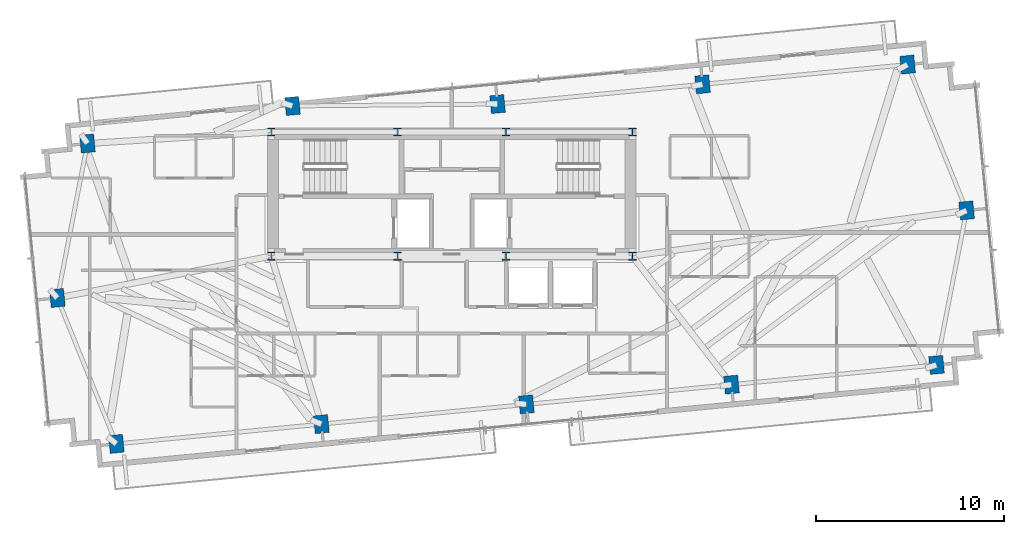
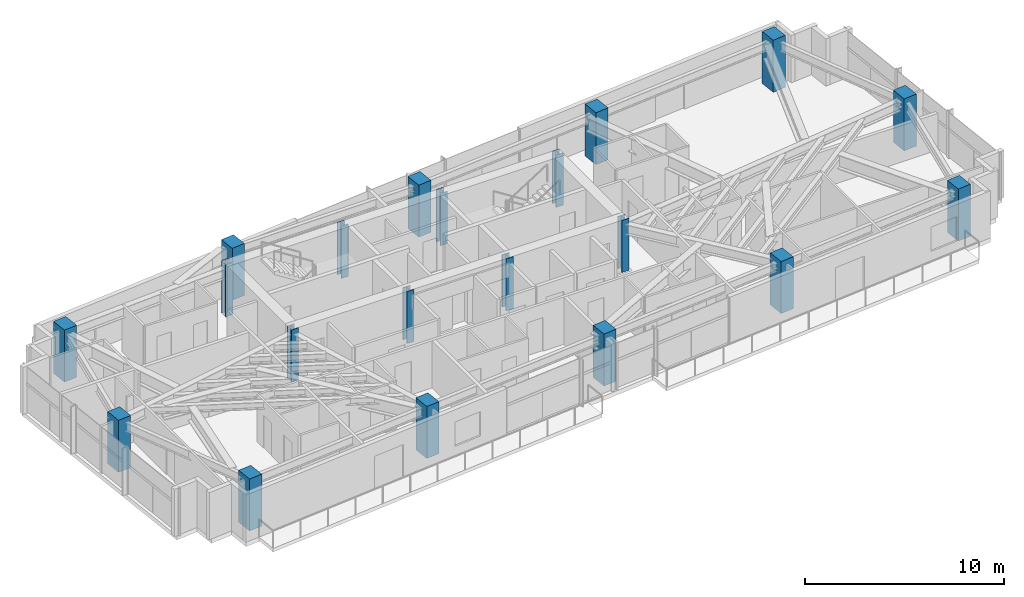
# One storey, part 1 of 18: 20 columns.
"""IFC4 building model written with IfcOpenShell, lengths in metres."""

from ifc_helpers import new_model, si_unit, direction, frame, origin, origin_2d, place, context, subcontext, project, spatial, rectangle, i_section, extrude, source, transform, mapped, material, material_profile, profile_set, type_object, type_shapes, element, save


model = new_model("IFC4")

# Units and contexts
model_context = context("Model", 3, precision=1e-05, world=origin(), true_north=direction((0.0, 1.0)))
body_context = subcontext(model_context, "Body", "Model", "MODEL_VIEW")
ifc_project = project(units=[si_unit("LENGTHUNIT", "METRE"), si_unit("AREAUNIT", "SQUARE_METRE"), si_unit("VOLUMEUNIT", "CUBIC_METRE"), si_unit("PLANEANGLEUNIT", "RADIAN"), si_unit("MASSUNIT", "GRAM", prefix="KILO")], contexts=[model_context])

# Site, building, storey
site_placement = place(None, origin())
site = spatial("IfcSite", under=ifc_project, at=site_placement, CompositionType="ELEMENT")
building_placement = place(site_placement, origin())
building = spatial("IfcBuilding", under=site, at=building_placement, Name="Astriad Promenade Condominiums", CompositionType="ELEMENT")
storey_placement = place(building_placement, frame((0.0, 0.0, 208.199951171875)))
storey = spatial("IfcBuildingStorey", under=building, at=storey_placement, Name="L60", CompositionType="ELEMENT", Elevation=208.199951171875)

# Columns
ifc_material_1 = material(Name="Steel ASTM A992 Grade 50", Category="steel")
ifc_material_profile_1 = material_profile(ifc_material_1, i_section(OverallWidth=0.41552734375, OverallDepth=0.445556640625, WebThickness=0.0390625, FlangeThickness=0.062744140625, FilletRadius=0.017822265625, at=origin_2d()), Name="W14X342")
ifc_profile_set_1 = profile_set([ifc_material_profile_1], Name="Steel ASTM A992 Grade 50")
column_type_1 = type_object("IfcColumnType", Name="STEEL CORE PILASTER W14X342", PredefinedType="PILASTER", material=ifc_profile_set_1)
shared_shape_1 = source(origin(), body_context, "Body", "SweptSolid", [
    extrude(i_section(OverallWidth=0.41552734375, OverallDepth=0.445556640625, WebThickness=0.0390625, FlangeThickness=0.062744140625, FilletRadius=0.017822265625, at=origin_2d()), origin(), (0.0, 0.0, 1.0), 3.196044921875),
])
type_shapes(column_type_1, [shared_shape_1])
for number, where, z_axis, x_axis, name in (
    (1, (26.39990234375, 17.39990234375, 0.001953125), (0.0, 0.0, 1.0), (1.0, 0.0, 0.0), "Core Pilaster Column CP1 (L60)"),
    (2, (33.1201171875, 17.39990234375, 0.001953125), (0.0, 0.0, 1.0), (1.0, 0.0, 0.0), "Core Pilaster Column CP2 (L60)"),
    (3, (38.8798828125, 17.39990234375, 0.001953125), (0.0, 0.0, 1.0), (1.0, 0.0, 0.0), "Core Pilaster Column CP3 (L60)"),
    (4, (45.60009765625, 17.39990234375, 0.001953125), (0.0, 0.0, 1.0), (1.0, 0.0, 0.0), "Core Pilaster Column CP4 (L60)"),
    (5, (26.39990234375, 24.0, 0.001953125), (0.0, 0.0, 1.0), (1.0, 0.0, 0.0), "Core Pilaster Column CP5 (L60)"),
    (6, (33.1201171875, 24.0, 0.001953125), (0.0, 0.0, 1.0), (1.0, 0.0, 0.0), "Core Pilaster Column CP6 (L60)"),
    (7, (38.8798828125, 24.0, 0.001953125), (0.0, 0.0, 1.0), (1.0, 0.0, 0.0), "Core Pilaster Column CP7 (L60)"),
    (8, (45.60009765625, 24.0, 0.001953125), (0.0, 0.0, 1.0), (1.0, 0.0, 0.0), "Core Pilaster Column CP8 (L60)"),
):
    element("IfcColumn", number, at=place(storey_placement, frame(where, z_axis=z_axis, x_axis=x_axis)), inside=storey, type_object=column_type_1, Name=name, PredefinedType="PILASTER", context=body_context, shape_type="MappedRepresentation", body=[
        mapped(shared_shape_1, transform((0.0, 0.0, 0.0), scale=1.0)),
    ])
ifc_material_2 = material(Name="Concrete C50/60", Category="concrete")
ifc_material_profile_2 = material_profile(ifc_material_2, rectangle(XDim=0.75, YDim=0.949951171875, at=origin_2d()), Name="RC-COL-950X750")
ifc_profile_set_2 = profile_set([ifc_material_profile_2], Name="Concrete C50/60")
column_type_2 = type_object("IfcColumnType", Name="CONCRETE TOWER COLUMN 950X750", PredefinedType="COLUMN", material=ifc_profile_set_2)
shared_shape_2 = source(origin(), body_context, "Body", "SweptSolid", [
    extrude(rectangle(XDim=0.75, YDim=0.949951171875, at=origin_2d()), origin(), (0.0, 0.0, 1.0), 3.194091796875),
])
type_shapes(column_type_2, [shared_shape_2])
for number, where, z_axis, x_axis, name in (
    (9, (18.16943359375, 7.41796875, 0.001953125), (0.0, 0.0, 1.0), (0.995396198367, 0.09584575252, 0.0), "Perimeter Column PC01 (L60)"),
    (10, (29.069091796875, 8.46728515625, 0.001953125), (0.0, 0.0, 1.0), (0.995396198367, 0.09584575252, 0.0), "Perimeter Column PC02 (L60)"),
    (11, (39.96875, 9.516845703125, 0.001953125), (0.0, 0.0, 1.0), (0.995396198367, 0.09584575252, 0.0), "Perimeter Column PC03 (L60)"),
    (12, (50.868408203125, 10.56640625, 0.001953125), (0.0, 0.0, 1.0), (0.995396198367, 0.09584575252, 0.0), "Perimeter Column PC04 (L60)"),
    (13, (61.767822265625, 11.615966796875, 0.001953125), (0.0, 0.0, 1.0), (0.995396198367, 0.09584575252, 0.0), "Perimeter Column PC05 (L60)"),
    (14, (16.632080078125, 23.384033203125, 0.001953125), (0.0, 0.0, 1.0), (0.995396198367, 0.09584575252, 0.0), "Perimeter Column PC06 (L60)"),
    (15, (27.53173828125, 25.3798828125, 0.001953125), (0.0, 0.0, 1.0), (0.995396198367, 0.09584575252, 0.0), "Perimeter Column PC07 (L60)"),
    (16, (38.431396484375, 25.483154296875, 0.001953125), (0.0, 0.0, 1.0), (0.995396198367, 0.09584575252, 0.0), "Perimeter Column PC08 (L60)"),
    (17, (49.330810546875, 26.53271484375, 0.001953125), (0.0, 0.0, 1.0), (0.995396198367, 0.09584575252, 0.0), "Perimeter Column PC09 (L60)"),
    (18, (60.23046875, 27.58203125, 0.001953125), (0.0, 0.0, 1.0), (0.995396198367, 0.09584575252, 0.0), "Perimeter Column PC10 (L60)"),
    (19, (15.03173828125, 15.1728515625, 0.001953125), (0.0, 0.0, 1.0), (0.995396198367, 0.09584575252, 0.0), "Perimeter Column PC11 (L60)"),
    (20, (63.3681640625, 19.8271484375, 0.001953125), (0.0, 0.0, 1.0), (0.995396198367, 0.09584575252, 0.0), "Perimeter Column PC12 (L60)"),
):
    element("IfcColumn", number, at=place(storey_placement, frame(where, z_axis=z_axis, x_axis=x_axis)), inside=storey, type_object=column_type_2, Name=name, PredefinedType="COLUMN", context=body_context, shape_type="MappedRepresentation", body=[
        mapped(shared_shape_2, transform((0.0, 0.0, 0.0), scale=1.0)),
    ])

save(model, "model.ifc")
